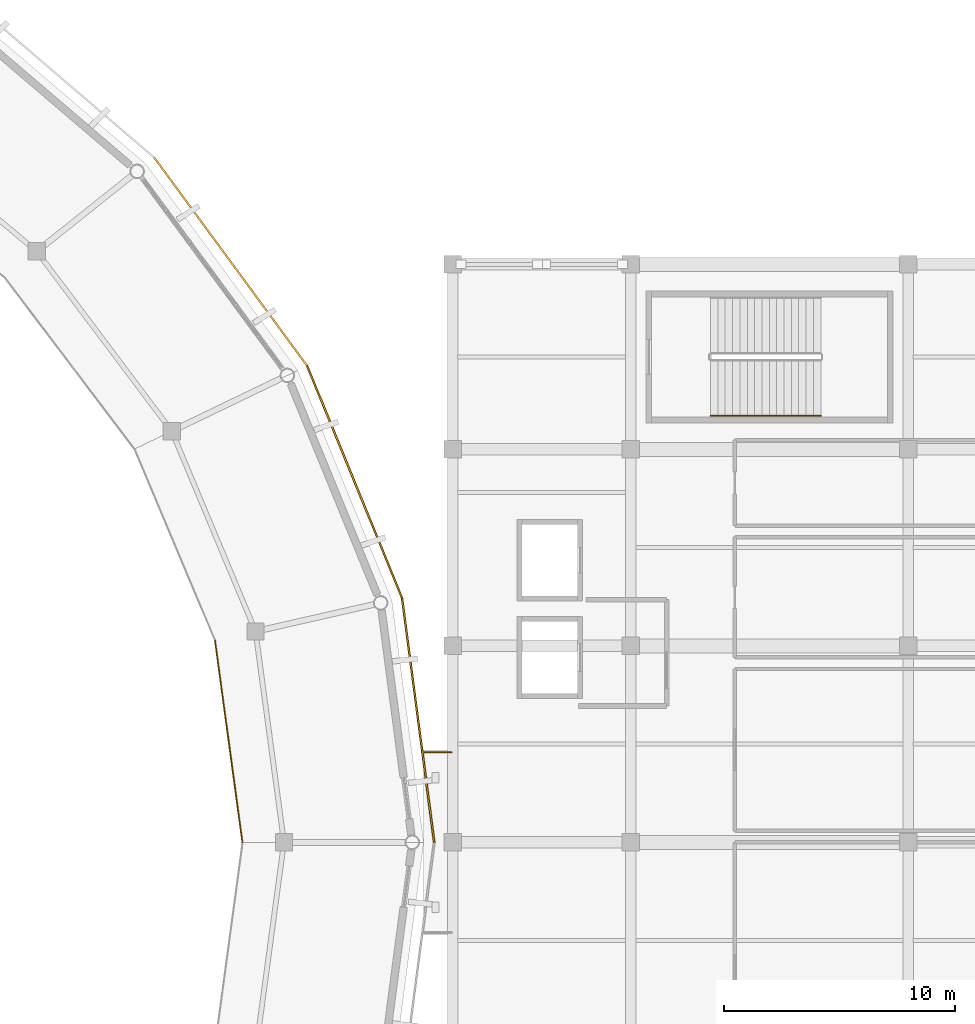
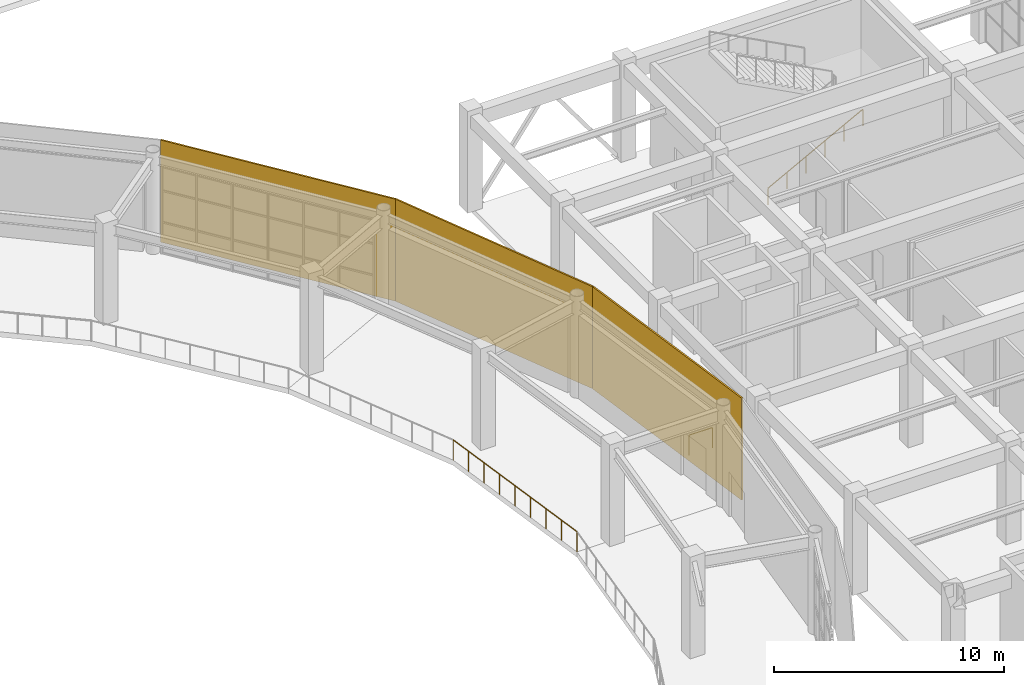
# One storey, part 69 of 70: 3 coverings, 3 railings.
"""IFC4 building model written with IfcOpenShell, lengths in metres."""

import ifcopenshell
import ifcopenshell.guid

model = None  # the IFC model being written
_history = None  # IfcOwnerHistory: only IFC2X3 demands one
_inside = {}  # id of a spatial element -> (the spatial element, [elements in it])
_under = {}  # id of a project, library or spatial element -> (it, [spatial elements below it])
_declared = {}  # id of a project -> (the project, [libraries it declares])
_typed = {}  # id of a type object -> (the type object, [elements of that type])
_made_of = {}  # id of a material, layer set ... -> (it, [elements and type objects made of it])


def new_model(schema):
    """Start an empty IFC model of exactly this schema.

    Asked for "IFC4X3", IfcOpenShell would pick the latest addendum, in which some entities
    have other attributes; the version numbers below select the first issue.
    IFC2X3 requires an IfcOwnerHistory on every rooted entity: one is made here for all.
    """
    global model, _history
    if schema == "IFC4X3":
        model = ifcopenshell.file(schema_version=(4, 3, 0, 0))
    else:
        model = ifcopenshell.file(schema=schema)
    _inside.clear()
    _under.clear()
    _declared.clear()
    _typed.clear()
    _made_of.clear()
    _history = None
    if model.schema == "IFC2X3":
        org = make("IfcOrganization", Name="unknown")
        user = make(
            "IfcPersonAndOrganization",
            ThePerson=make("IfcPerson", FamilyName="unknown"),
            TheOrganization=org,
        )
        app = make(
            "IfcApplication",
            ApplicationDeveloper=org,
            Version="unknown",
            ApplicationFullName="unknown",
            ApplicationIdentifier="unknown",
        )
        _history = make(
            "IfcOwnerHistory",
            OwningUser=user,
            OwningApplication=app,
            ChangeAction="ADDED",
            CreationDate=0,
        )
    return model


def make(cls, **values):
    """One entity of the class cls with the attributes given. An attribute that is None is left unset."""
    return model.create_entity(
        cls, **{name: value for name, value in values.items() if value is not None}
    )


def rooted(cls, **values):
    """An entity with a GlobalId (a new one), such as an element, a storey or a relation."""
    return make(cls, GlobalId=ifcopenshell.guid.new(), OwnerHistory=_history, **values)


def si_unit(unit_type, name, prefix=None):
    """IfcSIUnit, for example si_unit("LENGTHUNIT", "METRE", prefix="MILLI")."""
    return make("IfcSIUnit", UnitType=unit_type, Prefix=prefix, Name=name)


def assignment(units):
    """IfcUnitAssignment: the units of a project."""
    return None if units is None else make("IfcUnitAssignment", Units=units)


def point(xyz):
    """IfcCartesianPoint."""
    return None if xyz is None else make("IfcCartesianPoint", Coordinates=xyz)


def direction(xyz):
    """IfcDirection."""
    return None if xyz is None else make("IfcDirection", DirectionRatios=xyz)


def frame(location, z_axis=None, x_axis=None):
    """IfcAxis2Placement3D, a coordinate frame: its origin and axes. An axis left out is left unset."""
    return make(
        "IfcAxis2Placement3D",
        Location=point(location),
        Axis=direction(z_axis),
        RefDirection=direction(x_axis),
    )


def frame_2d(location, x_axis=None):
    """IfcAxis2Placement2D, a coordinate frame in the plane: its origin and x axis."""
    return make(
        "IfcAxis2Placement2D", Location=point(location), RefDirection=direction(x_axis)
    )


def origin():
    """The frame at (0, 0, 0) with its axes left unset."""
    return frame((0.0, 0.0, 0.0))


def origin_2d():
    """The frame at (0, 0) in the plane with its x axis left unset."""
    return frame_2d((0.0, 0.0))


def place(relative_to, where):
    """IfcLocalPlacement: puts the frame where relative to a parent placement (None: the world)."""
    return make(
        "IfcLocalPlacement", PlacementRelTo=relative_to, RelativePlacement=where
    )


def context(
    kind, dimensions, precision=None, world=None, true_north=None, identifier=None
):
    """IfcGeometricRepresentationContext, for example the 3D "Model" context."""
    return make(
        "IfcGeometricRepresentationContext",
        ContextIdentifier=identifier,
        ContextType=kind,
        CoordinateSpaceDimension=dimensions,
        Precision=precision,
        WorldCoordinateSystem=world,
        TrueNorth=true_north,
    )


def subcontext(parent, identifier, kind, view, scale=None):
    """IfcGeometricRepresentationSubContext, for example "Body" below "Model"."""
    return make(
        "IfcGeometricRepresentationSubContext",
        ContextIdentifier=identifier,
        ContextType=kind,
        ParentContext=parent,
        TargetScale=scale,
        TargetView=view,
    )


def project(units=None, contexts=None):
    """IfcProject with its units and contexts."""
    return rooted(
        "IfcProject",
        Name="project",
        RepresentationContexts=contexts,
        UnitsInContext=assignment(units),
    )


def spatial(cls, under=None, at=None, **own):
    """A site, building, storey or space (cls), placed at a placement, below another one or the project."""
    s = rooted(cls, ObjectPlacement=at, **own)
    if under is not None:
        _under.setdefault(under.id(), (under, []))[1].append(s)
    return s


def profile(cls, at=None, kind="AREA", **sizes):
    """A parametric profile (cls). Its sizes go by their IFC names, for example OverallWidth=200.0."""
    return make(cls, ProfileType=kind, Position=at, **sizes)


def rectangle(**sizes):
    """IfcRectangleProfileDef."""
    return profile("IfcRectangleProfileDef", **sizes)


def circle(**sizes):
    """IfcCircleProfileDef."""
    return profile("IfcCircleProfileDef", **sizes)


def extrude(swept, where, along, depth):
    """IfcExtrudedAreaSolid: the profile swept, set in the frame where, extruded along a direction by depth."""
    return make(
        "IfcExtrudedAreaSolid",
        SweptArea=swept,
        Position=where,
        ExtrudedDirection=direction(along),
        Depth=depth,
    )


def shape(context_of_items, identifier, shape_type, items):
    """IfcShapeRepresentation: the items that make up one representation, for example the "Body"."""
    return make(
        "IfcShapeRepresentation",
        ContextOfItems=context_of_items,
        RepresentationIdentifier=identifier,
        RepresentationType=shape_type,
        Items=items,
    )


def material(Name=None, Category=None):
    """IfcMaterial."""
    return make("IfcMaterial", Name=Name, Category=Category)


def layer(
    of_material, thickness, ventilated=None, Name=None, Category=None, Priority=None
):
    """IfcMaterialLayer: one layer of a wall or slab, of a material (None: an air gap)."""
    return make(
        "IfcMaterialLayer",
        Material=of_material,
        LayerThickness=thickness,
        IsVentilated=ventilated,
        Name=Name,
        Category=Category,
        Priority=Priority,
    )


def layer_set(layers, Name=None):
    """IfcMaterialLayerSet."""
    return make("IfcMaterialLayerSet", MaterialLayers=layers, LayerSetName=Name)


def made_of(thing, what):
    """Note that an element or type object is made of a material, layer set ...; save() writes the relation."""
    if what is not None:
        _made_of.setdefault(what.id(), (what, []))[1].append(thing)
    return thing


def type_object(cls, material=None, **own):
    """A type object (cls), such as IfcWallType, which elements share."""
    return made_of(rooted(cls, **own), material)


def element(
    cls,
    number,
    at=None,
    inside=None,
    cuts=None,
    type_object=None,
    material=None,
    context=None,
    identifier="Body",
    shape_type=None,
    held_by="IfcProductDefinitionShape",
    body=None,
    shapes=None,
    **own,
):
    """One element of the class cls, such as IfcWall. Its Tag is "e" and its number.

    at: its placement. inside: the storey or other place that contains it. cuts: it is an
    opening in that element (IfcRelVoidsElement). A single representation is given by context,
    identifier, shape_type and body (its items); several are given by shapes. held_by: the class
    of the entity that holds the representations. save() writes the other relations.
    """
    e = rooted(cls, Tag="e%d" % number, ObjectPlacement=at, **own)
    if body is not None:
        shapes = [shape(context, identifier, shape_type, body)]
    if shapes is not None:
        e.Representation = make(held_by, Representations=shapes)
    if inside is not None:
        _inside.setdefault(inside.id(), (inside, []))[1].append(e)
    if cuts is not None:
        rooted(
            "IfcRelVoidsElement", RelatingBuildingElement=cuts, RelatedOpeningElement=e
        )
    if type_object is not None:
        _typed.setdefault(type_object.id(), (type_object, []))[1].append(e)
    return made_of(e, material)


def aggregate(whole, parts):
    """IfcRelAggregates: a whole, such as a stair, and the parts it consists of."""
    return rooted("IfcRelAggregates", RelatingObject=whole, RelatedObjects=parts)


def save(model, path):
    """Write the relations noted so far, then the file.

    IfcRelAggregates (storeys below a building ...), IfcRelContainedInSpatialStructure (elements
    in a storey), IfcRelDefinesByType, IfcRelAssociatesMaterial and IfcRelDeclares: one each for
    every whole, place, type object, material and project.
    """
    for whole, parts in _under.values():
        aggregate(whole, parts)
    for where, things in _inside.values():
        rooted(
            "IfcRelContainedInSpatialStructure",
            RelatedElements=things,
            RelatingStructure=where,
        )
    for kind, things in _typed.values():
        rooted("IfcRelDefinesByType", RelatedObjects=things, RelatingType=kind)
    for what, things in _made_of.values():
        rooted("IfcRelAssociatesMaterial", RelatedObjects=things, RelatingMaterial=what)
    for by, libraries in _declared.values():
        rooted("IfcRelDeclares", RelatingContext=by, RelatedDefinitions=libraries)
    model.write(path)


model = new_model("IFC4")

# Units and contexts
model_context = context("Model", 3, precision=1e-05, world=origin(), true_north=direction((0.0, 1.0)))
body_context = subcontext(model_context, "Body", "Model", "MODEL_VIEW")
ifc_project = project(units=[si_unit("LENGTHUNIT", "METRE"), si_unit("AREAUNIT", "SQUARE_METRE"), si_unit("VOLUMEUNIT", "CUBIC_METRE"), si_unit("PLANEANGLEUNIT", "RADIAN"), si_unit("MASSUNIT", "GRAM", prefix="KILO")], contexts=[model_context])

# Site, building, storey
site_placement = place(None, origin())
site = spatial("IfcSite", under=ifc_project, at=site_placement, CompositionType="ELEMENT")
building_placement = place(site_placement, origin())
building = spatial("IfcBuilding", under=site, at=building_placement, Name="Cuetzalor Civic Arena", CompositionType="ELEMENT")
storey_placement = place(building_placement, frame((0.0, 0.0, 21.0)))
storey = spatial("IfcBuildingStorey", under=building, at=storey_placement, Name="L04", CompositionType="ELEMENT", Elevation=21.0)

# Railings
ifc_material_1 = material(Name="Reseda-green Steel S355 and laminated glass guard", Category="steel")
railing_type_1 = type_object("IfcRailingType", Name="BowlSightlineGuard_1100", PredefinedType="BALUSTRADE", material=ifc_material_1)
railing_1_placement = place(storey_placement, frame((47.199951171875, 0.0, 0.0)))
element("IfcRailing", 1, at=railing_1_placement, inside=storey, type_object=railing_type_1, Name="Sky Gallery Bowl Rim Balustrade S01", PredefinedType="BALUSTRADE", context=body_context, shape_type="SweptSolid", body=[
    extrude(circle(Radius=0.02392578125, at=origin_2d()), frame((0.0, 0.0, 1.076171875), z_axis=(-0.134428756655, 0.990923261097, 0.0), x_axis=(-0.990923261097, -0.134428756655, 0.0)), (0.0, 0.0, 1.0), 8.802734375),
    extrude(circle(Radius=0.02099609375, at=origin_2d()), origin(), (0.0, 0.0, 1.0), 1.052001953125),
    extrude(circle(Radius=0.02099609375, at=origin_2d()), frame((-0.14794921875, 1.09033203125, 0.0)), (0.0, 0.0, 1.0), 1.052001953125),
    extrude(circle(Radius=0.02099609375, at=origin_2d()), frame((-0.2958984375, 2.1806640625, 0.0)), (0.0, 0.0, 1.0), 1.052001953125),
    extrude(circle(Radius=0.02099609375, at=origin_2d()), frame((-0.44384765625, 3.27099609375, 0.0)), (0.0, 0.0, 1.0), 1.052001953125),
    extrude(circle(Radius=0.02099609375, at=origin_2d()), frame((-0.591796875, 4.361328125, 0.0)), (0.0, 0.0, 1.0), 1.052001953125),
    extrude(circle(Radius=0.02099609375, at=origin_2d()), frame((-0.739501953125, 5.451904296875, 0.0)), (0.0, 0.0, 1.0), 1.052001953125),
    extrude(circle(Radius=0.02099609375, at=origin_2d()), frame((-0.887451171875, 6.542236328125, 0.0)), (0.0, 0.0, 1.0), 1.052001953125),
    extrude(circle(Radius=0.02099609375, at=origin_2d()), frame((-1.035400390625, 7.632568359375, 0.0)), (0.0, 0.0, 1.0), 1.052001953125),
    extrude(circle(Radius=0.02099609375, at=origin_2d()), frame((-1.183349609375, 8.722900390625, 0.0)), (0.0, 0.0, 1.0), 1.052001953125),
])
ifc_material_2 = material(Name="Reseda-green architectural Steel S355 balustrade", Category="steel")
railing_type_2 = type_object("IfcRailingType", Name="InteriorVoidBalustrade_1100", PredefinedType="BALUSTRADE", material=ifc_material_2)
railing_2_placement = place(storey_placement, frame((55.080078125, 3.89990234375, 0.0)))
element("IfcRailing", 2, at=railing_2_placement, inside=storey, type_object=railing_type_2, Name="Seismic Bridge Balustrade V4E L04 N", PredefinedType="BALUSTRADE", context=body_context, shape_type="SweptSolid", body=[
    extrude(circle(Radius=0.02392578125, at=origin_2d()), frame((0.0, 0.0, 1.076171875), z_axis=(1.0, 0.0, 0.0), x_axis=(0.0, 1.0, 0.0)), (0.0, 0.0, 1.0), 1.169921875),
    extrude(circle(Radius=0.02099609375, at=origin_2d()), origin(), (0.0, 0.0, 1.0), 1.052001953125),
    extrude(circle(Radius=0.02099609375, at=origin_2d()), frame((1.169921875, 0.0, 0.0)), (0.0, 0.0, 1.0), 1.052001953125),
])
ifc_material_3 = material(Name="Galvanised steel S355", Category="steel")
railing_type_3 = type_object("IfcRailingType", Name="StairPitchHandrail_900", PredefinedType="HANDRAIL", material=ifc_material_3)
railing_3_placement = place(storey_placement, frame((67.449951171875, 18.449951171875, 0.168701171875)))
element("IfcRailing", 3, at=railing_3_placement, inside=storey, type_object=railing_type_3, Name="L04 ST-22 stair handrail 1", PredefinedType="HANDRAIL", context=body_context, shape_type="SweptSolid", body=[
    extrude(circle(Radius=0.02392578125, at=origin_2d()), frame((0.0, 0.0, 0.8759765625), z_axis=(0.883332211103, 0.0, 0.468747485143), x_axis=(0.0, 1.0, 0.0)), (0.0, 0.0, 1.0), 5.400146484375),
    extrude(circle(Radius=0.02099609375, at=origin_2d()), origin(), (0.0, 0.0, 1.0), 0.851806640625),
    extrude(circle(Radius=0.02099609375, at=origin_2d()), frame((0.9541015625, 0.0, 0.50634765625)), (0.0, 0.0, 1.0), 0.851806640625),
    extrude(circle(Radius=0.02099609375, at=origin_2d()), frame((1.907958984375, 0.0, 1.012451171875)), (0.0, 0.0, 1.0), 0.851806640625),
    extrude(circle(Radius=0.02099609375, at=origin_2d()), frame((2.862060546875, 0.0, 1.518798828125)), (0.0, 0.0, 1.0), 0.851806640625),
    extrude(circle(Radius=0.02099609375, at=origin_2d()), frame((3.81591796875, 0.0, 2.02490234375)), (0.0, 0.0, 1.0), 0.851806640625),
    extrude(circle(Radius=0.02099609375, at=origin_2d()), frame((4.77001953125, 0.0, 2.53125)), (0.0, 0.0, 1.0), 0.851806640625),
])

# Coverings
ifc_material_4 = material(Name="Terracotta-red perforated anodised aluminium panel", Category="masonry")
ifc_layer = layer(ifc_material_4, 0.080078125)
ifc_layer_set = layer_set([ifc_layer], Name="Terracotta-red perforated anodised aluminium panel")
covering_type = type_object("IfcCoveringType", Name="TerracottaPerforatedScreenPanel", PredefinedType="CLADDING", material=ifc_layer_set)
covering_1_placement = place(storey_placement, frame((54.1083984375, 10.569580078125, -0.139892578125), z_axis=(0.0, 0.0, 1.0), x_axis=(0.130534485624, -0.991443769491, 0.0)))
element("IfcCovering", 4, at=covering_1_placement, inside=storey, type_object=covering_type, Name="Terracotta Perforated Drum Screen L04-S01", PredefinedType="CLADDING", context=body_context, shape_type="SweptSolid", body=[
    extrude(rectangle(XDim=10.660888671875, YDim=0.080078125, at=frame_2d((5.33056640625, 0.0))), origin(), (0.0, 0.0, 1.0), 5.419921875),
])
covering_2_placement = place(storey_placement, frame((50.00390625, 20.609619140625, -0.139892578125), z_axis=(0.0, 0.0, 1.0), x_axis=(0.378411973316, -0.925637282336, 0.0)))
element("IfcCovering", 5, at=covering_2_placement, inside=storey, type_object=covering_type, Name="Terracotta Perforated Drum Screen L04-S02", PredefinedType="CLADDING", context=body_context, shape_type="SweptSolid", body=[
    extrude(rectangle(XDim=10.8466796875, YDim=0.080078125, at=frame_2d((5.42333984375, 0.0))), origin(), (0.0, 0.0, 1.0), 5.419921875),
])
covering_3_placement = place(storey_placement, frame((43.3916015625, 29.61572265625, -0.139892578125), z_axis=(0.0, 0.0, 1.0), x_axis=(0.591819224601, -0.806070719846, 0.0)))
element("IfcCovering", 6, at=covering_3_placement, inside=storey, type_object=covering_type, Name="Terracotta Perforated Drum Screen L04-S03", PredefinedType="CLADDING", context=body_context, shape_type="SweptSolid", body=[
    extrude(rectangle(XDim=11.1728515625, YDim=0.080078125, at=frame_2d((5.58642578125, 0.0))), origin(), (0.0, 0.0, 1.0), 5.419921875),
])

save(model, "model.ifc")
